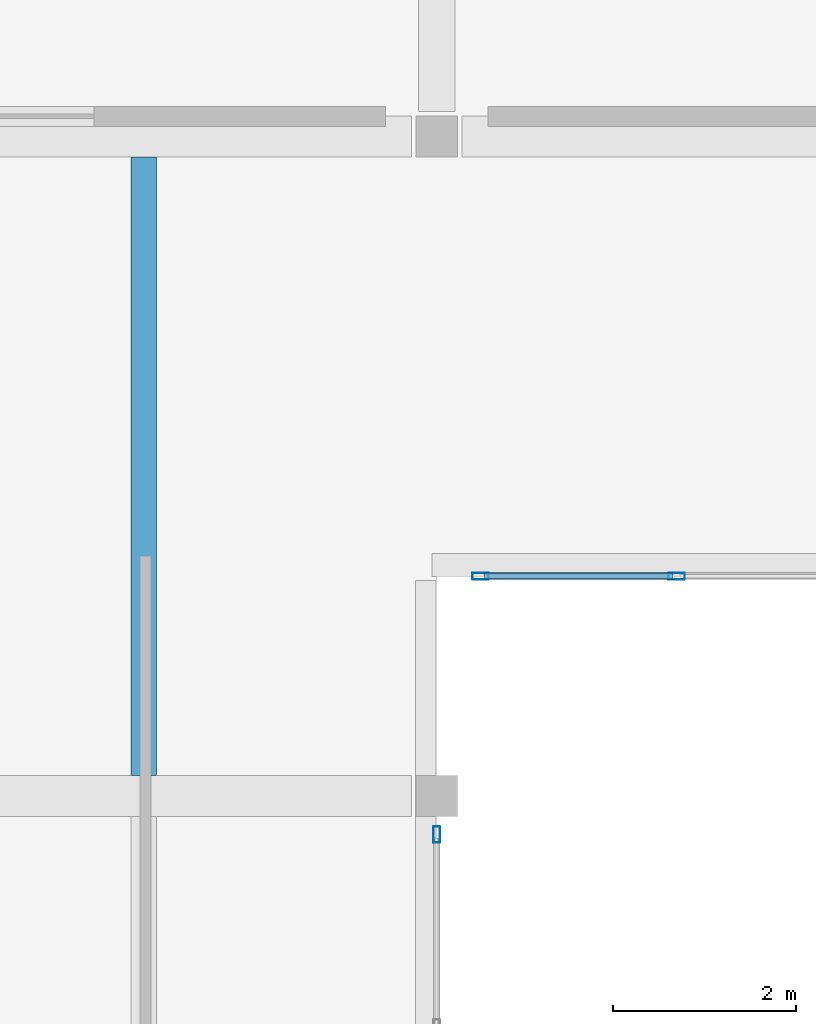
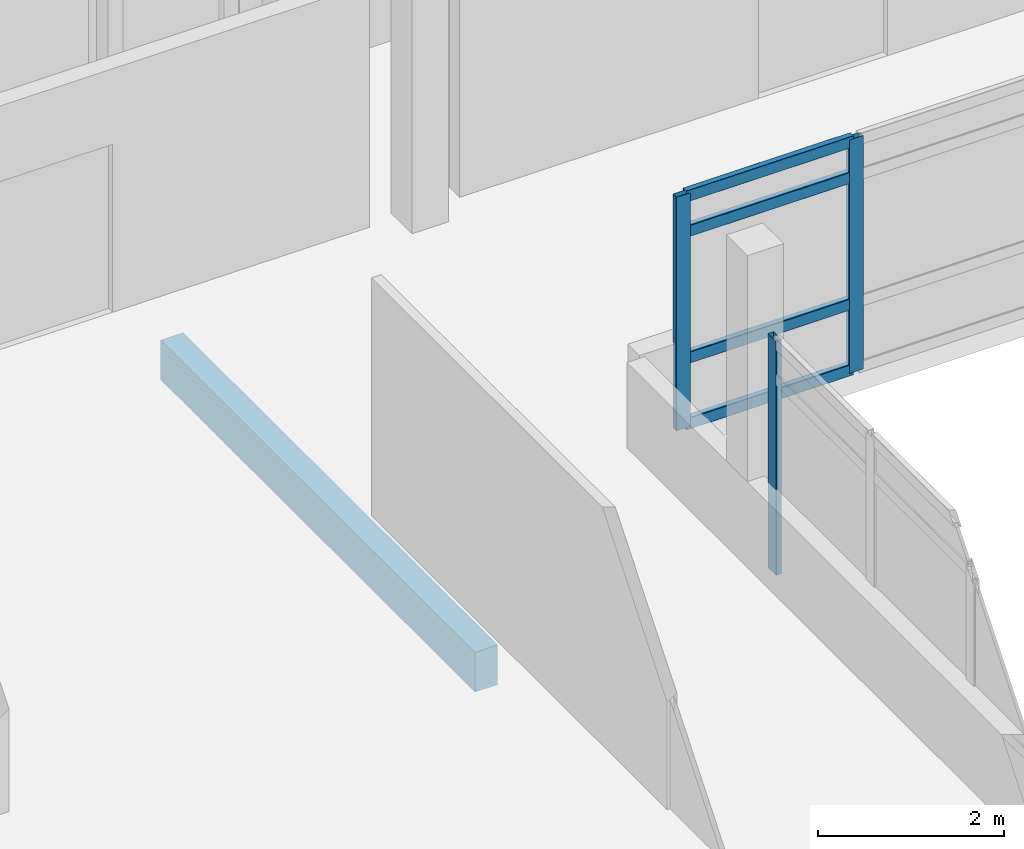
# One storey, part 8 of 50: 7 members, 1 beam, 2 elements without a shape of their own.
"""IFC4 building model written with IfcOpenShell, lengths in metres."""

from ifc_helpers import new_model, si_unit, direction, frame, origin, origin_2d, place, context, subcontext, project, spatial, rectangle, hollow_rectangle, extrude, material, layer, layer_set, material_profile, profile_set, type_object, element, aggregate, save


model = new_model("IFC4")

# Units and contexts
model_context = context("Model", 3, precision=1e-05, world=origin(), true_north=direction((0.0, 1.0)))
body_context = subcontext(model_context, "Body", "Model", "MODEL_VIEW")
ifc_project = project(units=[si_unit("LENGTHUNIT", "METRE"), si_unit("AREAUNIT", "SQUARE_METRE"), si_unit("VOLUMEUNIT", "CUBIC_METRE"), si_unit("PLANEANGLEUNIT", "RADIAN"), si_unit("MASSUNIT", "GRAM", prefix="KILO")], contexts=[model_context])

# Site, building, storey
site_placement = place(None, origin())
site = spatial("IfcSite", under=ifc_project, at=site_placement, CompositionType="ELEMENT")
building_placement = place(site_placement, origin())
building = spatial("IfcBuilding", under=site, at=building_placement, Name="Asteropetra Specialist Clinic", CompositionType="ELEMENT")
storey_placement = place(building_placement, frame((0.0, 0.0, 16.659912109375)))
storey = spatial("IfcBuildingStorey", under=building, at=storey_placement, Name="L04", CompositionType="ELEMENT", Elevation=16.659912109375)

# Curtain wall, members
ifc_material_1 = material(Name="Aluminium and low-E glass", Category="aluminium")
ifc_layer_1 = layer(ifc_material_1, 0.135009765625)
ifc_layer_set_1 = layer_set([ifc_layer_1], Name="Aluminium and low-E glass")
curtain_wall_type_1 = type_object("IfcCurtainWallType", Name="CW-SYS-09", PredefinedType="USERDEFINED", material=ifc_layer_set_1)
curtain_wall_1_placement = place(storey_placement, origin())
curtain_wall_1 = element("IfcCurtainWall", 1, at=curtain_wall_1_placement, inside=storey, type_object=curtain_wall_type_1, Name="Curtain Wall CW-090", ObjectType="STICK GLAZED COLONNADE", PredefinedType="USERDEFINED")
ifc_material_2 = material(Name="Aluminium 6063-T6", Category="aluminium")
ifc_material_profile_1 = material_profile(ifc_material_2, hollow_rectangle(XDim=0.074951171875, YDim=0.179931640625, WallThickness=0.00390625, InnerFilletRadius=0.00390625, OuterFilletRadius=0.008056640625, at=origin_2d()), Name="MUL 180x75x4.0")
ifc_profile_set_1 = profile_set([ifc_material_profile_1], Name="Aluminium 6063-T6")
member_type_1 = type_object("IfcMemberType", Name="CWM-180x75", PredefinedType="MULLION", material=ifc_profile_set_1)
member_1_placement = place(storey_placement, frame((127.419921875, 36.0, 0.0), z_axis=(0.0, 0.0, 1.0), x_axis=(0.0, -1.0, 0.0)))
member_1 = element("IfcMember", 2, at=member_1_placement, type_object=member_type_1, Name="CW-090 mullion 4", PredefinedType="MULLION", context=body_context, shape_type="SweptSolid", body=[
    extrude(hollow_rectangle(XDim=0.074951171875, YDim=0.179931640625, WallThickness=0.00390625, InnerFilletRadius=0.00390625, OuterFilletRadius=0.008056640625, at=origin_2d()), origin(), (0.0, 0.0, 1.0), 3.06005859375),
])
member_2_placement = place(storey_placement, frame((125.277587890625, 36.0, 0.0), z_axis=(0.0, 0.0, 1.0), x_axis=(0.0, -1.0, 0.0)))
member_2 = element("IfcMember", 3, at=member_2_placement, type_object=member_type_1, Name="CW-090 mullion 5", PredefinedType="MULLION", context=body_context, shape_type="SweptSolid", body=[
    extrude(hollow_rectangle(XDim=0.074951171875, YDim=0.179931640625, WallThickness=0.00390625, InnerFilletRadius=0.00390625, OuterFilletRadius=0.008056640625, at=origin_2d()), origin(), (0.0, 0.0, 1.0), 3.06005859375),
])

# Curtain wall, member
ifc_material_3 = material(Name="Aluminium and low-E glass", Category="aluminium")
ifc_layer_2 = layer(ifc_material_3, 0.14990234375)
ifc_layer_set_2 = layer_set([ifc_layer_2], Name="Aluminium and low-E glass")
curtain_wall_type_2 = type_object("IfcCurtainWallType", Name="CW-SYS-11", PredefinedType="USERDEFINED", material=ifc_layer_set_2)
curtain_wall_2_placement = place(storey_placement, origin())
curtain_wall_2 = element("IfcCurtainWall", 4, at=curtain_wall_2_placement, inside=storey, type_object=curtain_wall_type_2, Name="Curtain Wall CW-093", ObjectType="STICK GLAZED COLONNADE", PredefinedType="USERDEFINED")
member_3_placement = place(storey_placement, frame((124.800048828125, 33.177490234375, 0.0), z_axis=(0.0, 0.0, 1.0), x_axis=(1.0, 0.0, 0.0)))
member_3 = element("IfcMember", 5, at=member_3_placement, type_object=member_type_1, Name="CW-093 mullion 1", PredefinedType="MULLION", context=body_context, shape_type="SweptSolid", body=[
    extrude(hollow_rectangle(XDim=0.074951171875, YDim=0.179931640625, WallThickness=0.00390625, InnerFilletRadius=0.00390625, OuterFilletRadius=0.008056640625, at=origin_2d()), origin(), (0.0, 0.0, 1.0), 3.06005859375),
])
aggregate(curtain_wall_2, [member_3])

# Member
ifc_material_4 = material(Name="Aluminium 6063-T6", Category="aluminium")
ifc_material_profile_2 = material_profile(ifc_material_4, hollow_rectangle(XDim=0.074951171875, YDim=0.14990234375, WallThickness=0.00390625, InnerFilletRadius=0.00390625, OuterFilletRadius=0.008056640625, at=origin_2d()), Name="TRN 150x75x4.0")
ifc_profile_set_2 = profile_set([ifc_material_profile_2], Name="Aluminium 6063-T6")
member_type_2 = type_object("IfcMemberType", Name="CWT-150x75", PredefinedType="USERDEFINED", material=ifc_profile_set_2)
member_4_placement = place(storey_placement, frame((127.382568359375, 36.0, 0.03759765625), z_axis=(-1.0, 0.0, 0.0), x_axis=(0.0, -1.0, 0.0)))
member_4 = element("IfcMember", 6, at=member_4_placement, type_object=member_type_2, Name="CW-090 transom 4.1", ObjectType="TRANSOM", PredefinedType="USERDEFINED", context=body_context, shape_type="SweptSolid", body=[
    extrude(hollow_rectangle(XDim=0.074951171875, YDim=0.14990234375, WallThickness=0.00390625, InnerFilletRadius=0.00390625, OuterFilletRadius=0.008056640625, at=origin_2d()), origin(), (0.0, 0.0, 1.0), 2.067626953125),
])

member_5_placement = place(storey_placement, frame((127.382568359375, 36.0, 0.900146484375), z_axis=(-1.0, 0.0, 0.0), x_axis=(0.0, -1.0, 0.0)))
member_5 = element("IfcMember", 7, at=member_5_placement, type_object=member_type_2, Name="CW-090 transom 4.2", ObjectType="TRANSOM", PredefinedType="USERDEFINED", context=body_context, shape_type="SweptSolid", body=[
    extrude(hollow_rectangle(XDim=0.074951171875, YDim=0.14990234375, WallThickness=0.00390625, InnerFilletRadius=0.00390625, OuterFilletRadius=0.008056640625, at=origin_2d()), origin(), (0.0, 0.0, 1.0), 2.067626953125),
])

member_6_placement = place(storey_placement, frame((127.382568359375, 36.0, 2.56005859375), z_axis=(-1.0, 0.0, 0.0), x_axis=(0.0, -1.0, 0.0)))
member_6 = element("IfcMember", 8, at=member_6_placement, type_object=member_type_2, Name="CW-090 transom 4.3", ObjectType="TRANSOM", PredefinedType="USERDEFINED", context=body_context, shape_type="SweptSolid", body=[
    extrude(hollow_rectangle(XDim=0.074951171875, YDim=0.14990234375, WallThickness=0.00390625, InnerFilletRadius=0.00390625, OuterFilletRadius=0.008056640625, at=origin_2d()), origin(), (0.0, 0.0, 1.0), 2.067626953125),
])

member_7_placement = place(storey_placement, frame((127.382568359375, 36.0, 3.022705078125), z_axis=(-1.0, 0.0, 0.0), x_axis=(0.0, -1.0, 0.0)))
member_7 = element("IfcMember", 9, at=member_7_placement, type_object=member_type_2, Name="CW-090 transom 4.4", ObjectType="TRANSOM", PredefinedType="USERDEFINED", context=body_context, shape_type="SweptSolid", body=[
    extrude(hollow_rectangle(XDim=0.074951171875, YDim=0.14990234375, WallThickness=0.00390625, InnerFilletRadius=0.00390625, OuterFilletRadius=0.008056640625, at=origin_2d()), origin(), (0.0, 0.0, 1.0), 2.067626953125),
])

aggregate(curtain_wall_1, [member_1, member_2, member_4, member_5, member_6, member_7])

# Beam
ifc_material_5 = material(Name="Concrete C35/45", Category="concrete")
ifc_material_profile_3 = material_profile(ifc_material_5, rectangle(XDim=0.280029296875, YDim=0.52001953125, at=origin_2d()), Name="RCJ 280x520")
ifc_profile_set_3 = profile_set([ifc_material_profile_3], Name="Concrete C35/45")
beam_type = type_object("IfcBeamType", Name="JST-RC280x520", PredefinedType="JOIST", material=ifc_profile_set_3)
beam_placement = place(storey_placement, frame((121.60009765625, 33.824951171875, -0.559814453125), z_axis=(0.0, 1.0, 0.0), x_axis=(-1.0, 0.0, 0.0)))
element("IfcBeam", 10, at=beam_placement, inside=storey, type_object=beam_type, Name="Joist JJST01-1768", PredefinedType="JOIST", context=body_context, shape_type="SweptSolid", body=[
    extrude(rectangle(XDim=0.280029296875, YDim=0.52001953125, at=origin_2d()), origin(), (0.0, 0.0, 1.0), 6.75),
])

save(model, "model.ifc")
